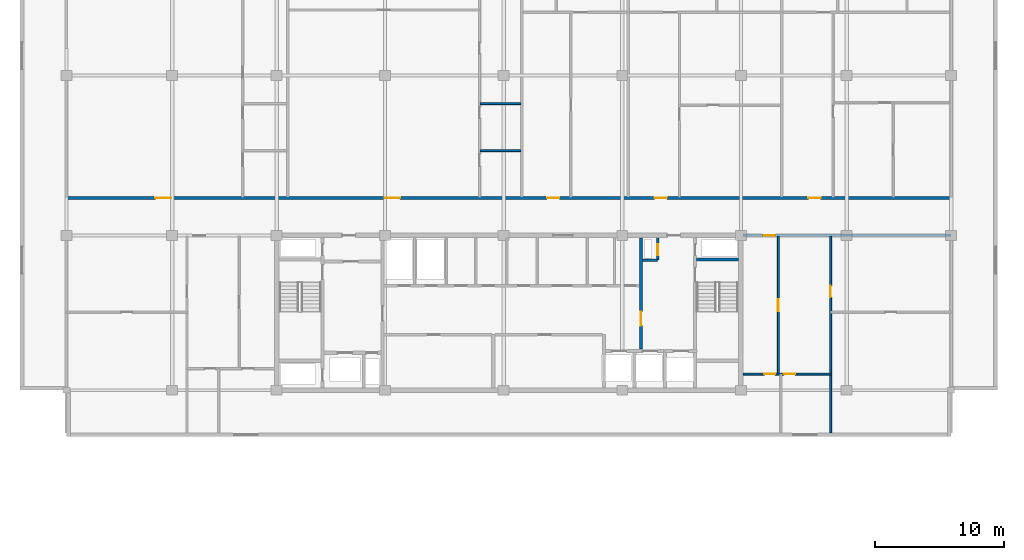
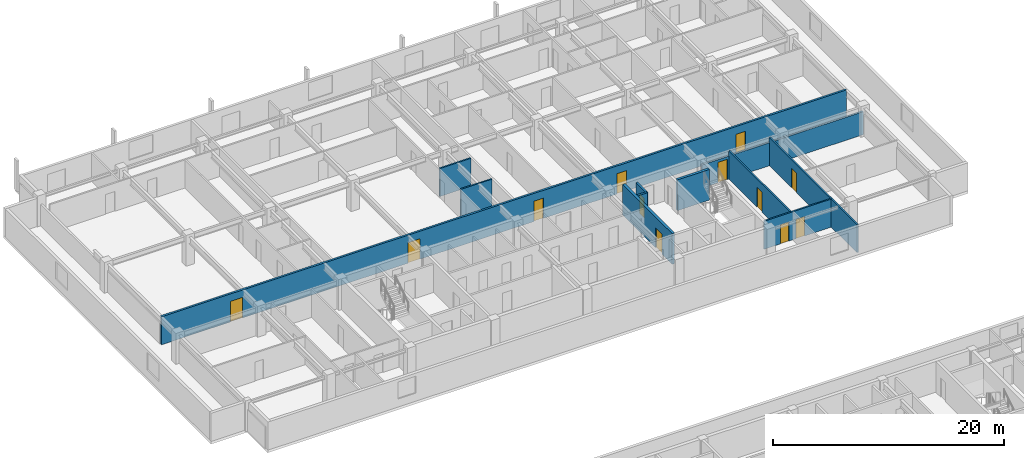
# One storey, part 13 of 22: 12 doors, 11 walls, 12 openings.
"""IFC4 building model written with IfcOpenShell, lengths in metres."""

import ifcopenshell
import ifcopenshell.guid

model = None  # the IFC model being written
_history = None  # IfcOwnerHistory: only IFC2X3 demands one
_inside = {}  # id of a spatial element -> (the spatial element, [elements in it])
_under = {}  # id of a project, library or spatial element -> (it, [spatial elements below it])
_declared = {}  # id of a project -> (the project, [libraries it declares])
_typed = {}  # id of a type object -> (the type object, [elements of that type])
_made_of = {}  # id of a material, layer set ... -> (it, [elements and type objects made of it])


def new_model(schema):
    """Start an empty IFC model of exactly this schema.

    Asked for "IFC4X3", IfcOpenShell would pick the latest addendum, in which some entities
    have other attributes; the version numbers below select the first issue.
    IFC2X3 requires an IfcOwnerHistory on every rooted entity: one is made here for all.
    """
    global model, _history
    if schema == "IFC4X3":
        model = ifcopenshell.file(schema_version=(4, 3, 0, 0))
    else:
        model = ifcopenshell.file(schema=schema)
    _inside.clear()
    _under.clear()
    _declared.clear()
    _typed.clear()
    _made_of.clear()
    _history = None
    if model.schema == "IFC2X3":
        org = make("IfcOrganization", Name="unknown")
        user = make(
            "IfcPersonAndOrganization",
            ThePerson=make("IfcPerson", FamilyName="unknown"),
            TheOrganization=org,
        )
        app = make(
            "IfcApplication",
            ApplicationDeveloper=org,
            Version="unknown",
            ApplicationFullName="unknown",
            ApplicationIdentifier="unknown",
        )
        _history = make(
            "IfcOwnerHistory",
            OwningUser=user,
            OwningApplication=app,
            ChangeAction="ADDED",
            CreationDate=0,
        )
    return model


def make(cls, **values):
    """One entity of the class cls with the attributes given. An attribute that is None is left unset."""
    return model.create_entity(
        cls, **{name: value for name, value in values.items() if value is not None}
    )


def rooted(cls, **values):
    """An entity with a GlobalId (a new one), such as an element, a storey or a relation."""
    return make(cls, GlobalId=ifcopenshell.guid.new(), OwnerHistory=_history, **values)


def si_unit(unit_type, name, prefix=None):
    """IfcSIUnit, for example si_unit("LENGTHUNIT", "METRE", prefix="MILLI")."""
    return make("IfcSIUnit", UnitType=unit_type, Prefix=prefix, Name=name)


def assignment(units):
    """IfcUnitAssignment: the units of a project."""
    return None if units is None else make("IfcUnitAssignment", Units=units)


def point(xyz):
    """IfcCartesianPoint."""
    return None if xyz is None else make("IfcCartesianPoint", Coordinates=xyz)


def direction(xyz):
    """IfcDirection."""
    return None if xyz is None else make("IfcDirection", DirectionRatios=xyz)


def frame(location, z_axis=None, x_axis=None):
    """IfcAxis2Placement3D, a coordinate frame: its origin and axes. An axis left out is left unset."""
    return make(
        "IfcAxis2Placement3D",
        Location=point(location),
        Axis=direction(z_axis),
        RefDirection=direction(x_axis),
    )


def frame_2d(location, x_axis=None):
    """IfcAxis2Placement2D, a coordinate frame in the plane: its origin and x axis."""
    return make(
        "IfcAxis2Placement2D", Location=point(location), RefDirection=direction(x_axis)
    )


def origin():
    """The frame at (0, 0, 0) with its axes left unset."""
    return frame((0.0, 0.0, 0.0))


def place(relative_to, where):
    """IfcLocalPlacement: puts the frame where relative to a parent placement (None: the world)."""
    return make(
        "IfcLocalPlacement", PlacementRelTo=relative_to, RelativePlacement=where
    )


def context(
    kind, dimensions, precision=None, world=None, true_north=None, identifier=None
):
    """IfcGeometricRepresentationContext, for example the 3D "Model" context."""
    return make(
        "IfcGeometricRepresentationContext",
        ContextIdentifier=identifier,
        ContextType=kind,
        CoordinateSpaceDimension=dimensions,
        Precision=precision,
        WorldCoordinateSystem=world,
        TrueNorth=true_north,
    )


def subcontext(parent, identifier, kind, view, scale=None):
    """IfcGeometricRepresentationSubContext, for example "Body" below "Model"."""
    return make(
        "IfcGeometricRepresentationSubContext",
        ContextIdentifier=identifier,
        ContextType=kind,
        ParentContext=parent,
        TargetScale=scale,
        TargetView=view,
    )


def project(units=None, contexts=None):
    """IfcProject with its units and contexts."""
    return rooted(
        "IfcProject",
        Name="project",
        RepresentationContexts=contexts,
        UnitsInContext=assignment(units),
    )


def spatial(cls, under=None, at=None, **own):
    """A site, building, storey or space (cls), placed at a placement, below another one or the project."""
    s = rooted(cls, ObjectPlacement=at, **own)
    if under is not None:
        _under.setdefault(under.id(), (under, []))[1].append(s)
    return s


def profile(cls, at=None, kind="AREA", **sizes):
    """A parametric profile (cls). Its sizes go by their IFC names, for example OverallWidth=200.0."""
    return make(cls, ProfileType=kind, Position=at, **sizes)


def rectangle(**sizes):
    """IfcRectangleProfileDef."""
    return profile("IfcRectangleProfileDef", **sizes)


def extrude(swept, where, along, depth):
    """IfcExtrudedAreaSolid: the profile swept, set in the frame where, extruded along a direction by depth."""
    return make(
        "IfcExtrudedAreaSolid",
        SweptArea=swept,
        Position=where,
        ExtrudedDirection=direction(along),
        Depth=depth,
    )


def shape(context_of_items, identifier, shape_type, items):
    """IfcShapeRepresentation: the items that make up one representation, for example the "Body"."""
    return make(
        "IfcShapeRepresentation",
        ContextOfItems=context_of_items,
        RepresentationIdentifier=identifier,
        RepresentationType=shape_type,
        Items=items,
    )


def material(Name=None, Category=None):
    """IfcMaterial."""
    return make("IfcMaterial", Name=Name, Category=Category)


def layer(
    of_material, thickness, ventilated=None, Name=None, Category=None, Priority=None
):
    """IfcMaterialLayer: one layer of a wall or slab, of a material (None: an air gap)."""
    return make(
        "IfcMaterialLayer",
        Material=of_material,
        LayerThickness=thickness,
        IsVentilated=ventilated,
        Name=Name,
        Category=Category,
        Priority=Priority,
    )


def layer_set(layers, Name=None):
    """IfcMaterialLayerSet."""
    return make("IfcMaterialLayerSet", MaterialLayers=layers, LayerSetName=Name)


def made_of(thing, what):
    """Note that an element or type object is made of a material, layer set ...; save() writes the relation."""
    if what is not None:
        _made_of.setdefault(what.id(), (what, []))[1].append(thing)
    return thing


def type_object(cls, material=None, **own):
    """A type object (cls), such as IfcWallType, which elements share."""
    return made_of(rooted(cls, **own), material)


def element(
    cls,
    number,
    at=None,
    inside=None,
    cuts=None,
    type_object=None,
    material=None,
    context=None,
    identifier="Body",
    shape_type=None,
    held_by="IfcProductDefinitionShape",
    body=None,
    shapes=None,
    **own,
):
    """One element of the class cls, such as IfcWall. Its Tag is "e" and its number.

    at: its placement. inside: the storey or other place that contains it. cuts: it is an
    opening in that element (IfcRelVoidsElement). A single representation is given by context,
    identifier, shape_type and body (its items); several are given by shapes. held_by: the class
    of the entity that holds the representations. save() writes the other relations.
    """
    e = rooted(cls, Tag="e%d" % number, ObjectPlacement=at, **own)
    if body is not None:
        shapes = [shape(context, identifier, shape_type, body)]
    if shapes is not None:
        e.Representation = make(held_by, Representations=shapes)
    if inside is not None:
        _inside.setdefault(inside.id(), (inside, []))[1].append(e)
    if cuts is not None:
        rooted(
            "IfcRelVoidsElement", RelatingBuildingElement=cuts, RelatedOpeningElement=e
        )
    if type_object is not None:
        _typed.setdefault(type_object.id(), (type_object, []))[1].append(e)
    return made_of(e, material)


def fill(opening, filler):
    """IfcRelFillsElement: the door or window that sits in an opening."""
    return rooted(
        "IfcRelFillsElement",
        RelatingOpeningElement=opening,
        RelatedBuildingElement=filler,
    )


def aggregate(whole, parts):
    """IfcRelAggregates: a whole, such as a stair, and the parts it consists of."""
    return rooted("IfcRelAggregates", RelatingObject=whole, RelatedObjects=parts)


def save(model, path):
    """Write the relations noted so far, then the file.

    IfcRelAggregates (storeys below a building ...), IfcRelContainedInSpatialStructure (elements
    in a storey), IfcRelDefinesByType, IfcRelAssociatesMaterial and IfcRelDeclares: one each for
    every whole, place, type object, material and project.
    """
    for whole, parts in _under.values():
        aggregate(whole, parts)
    for where, things in _inside.values():
        rooted(
            "IfcRelContainedInSpatialStructure",
            RelatedElements=things,
            RelatingStructure=where,
        )
    for kind, things in _typed.values():
        rooted("IfcRelDefinesByType", RelatedObjects=things, RelatingType=kind)
    for what, things in _made_of.values():
        rooted("IfcRelAssociatesMaterial", RelatedObjects=things, RelatingMaterial=what)
    for by, libraries in _declared.values():
        rooted("IfcRelDeclares", RelatingContext=by, RelatedDefinitions=libraries)
    model.write(path)


model = new_model("IFC4")

# Units and contexts
model_context = context("Model", 3, precision=1e-05, world=origin(), true_north=direction((0.0, 1.0)))
body_context = subcontext(model_context, "Body", "Model", "MODEL_VIEW")
ifc_project = project(units=[si_unit("LENGTHUNIT", "METRE"), si_unit("AREAUNIT", "SQUARE_METRE"), si_unit("VOLUMEUNIT", "CUBIC_METRE"), si_unit("PLANEANGLEUNIT", "RADIAN"), si_unit("MASSUNIT", "GRAM", prefix="KILO")], contexts=[model_context])

# Site, building, storey
site_placement = place(None, origin())
site = spatial("IfcSite", under=ifc_project, at=site_placement, CompositionType="ELEMENT")
building_placement = place(site_placement, origin())
building = spatial("IfcBuilding", under=site, at=building_placement, Name="Korimba Cascade Residences", CompositionType="ELEMENT")
storey_placement = place(building_placement, frame((0.0, 0.0, 181.60009765625)))
storey = spatial("IfcBuildingStorey", under=building, at=storey_placement, Name="L52", CompositionType="ELEMENT", Elevation=181.60009765625)

# Wall, opening, door
ifc_material_1 = material(Name="Precast concrete C40/50", Category="concrete")
ifc_layer_1 = layer(ifc_material_1, 0.199951171875)
ifc_layer_set_1 = layer_set([ifc_layer_1], Name="Precast concrete C40/50")
wall_type_1 = type_object("IfcWallType", Name="WAL-IT-200", PredefinedType="PARTITIONING", material=ifc_layer_set_1)
wall_1_placement = place(storey_placement, frame((112.25, 67.199951171875, 0.0), z_axis=(0.0, 0.0, 1.0), x_axis=(1.0, 0.0, 0.0)))
wall_1 = element("IfcWall", 1, at=wall_1_placement, inside=storey, type_object=wall_type_1, Name="L52 Partition Wall WAL-L52-T1-FE-N", PredefinedType="PARTITIONING", context=body_context, shape_type="SweptSolid", body=[
    extrude(rectangle(XDim=16.14990234375, YDim=0.199951171875, at=frame_2d((8.074951171875, 0.0))), origin(), (0.0, 0.0, 1.0), 2.43310546875),
])
opening_1_placement = place(wall_1_placement, frame((1.580078125, 0.0, 0.0)))
opening_1 = element("IfcOpeningElement", 2, at=opening_1_placement, cuts=wall_1, Name="Opening D-UN1", PredefinedType="OPENING", context=body_context, shape_type="SweptSolid", body=[
    extrude(rectangle(XDim=0.949951171875, YDim=2.14990234375, at=frame_2d((0.47509765625, 1.074951171875))), frame((0.0, 0.10986328125, 0.0), z_axis=(0.0, -1.0, 0.0), x_axis=(1.0, 0.0, 0.0)), (0.0, 0.0, 1.0), 0.219970703125),
])
ifc_material_2 = material(Name="Fire-Rated Hardwood Apartment Entrance Door", Category="wood")
door_type_1 = type_object("IfcDoorType", Name="DR-FD60-950", OperationType="NOTDEFINED", PredefinedType="DOOR", material=ifc_material_2)
door_1_placement = place(opening_1_placement, origin())
door_1 = element("IfcDoor", 3, at=door_1_placement, inside=storey, type_object=door_type_1, Name="L52-T1-FE Entrance Door", OperationType="SINGLE_SWING_LEFT", OverallHeight=2.14990234375, OverallWidth=0.949951171875, PredefinedType="DOOR", context=body_context, shape_type="SweptSolid", body=[
    extrude(rectangle(XDim=0.949951171875, YDim=2.14990234375, at=frame_2d((0.47509765625, 1.074951171875))), frame((0.0, 0.02490234375, 0.0), z_axis=(0.0, -1.0, 0.0), x_axis=(1.0, 0.0, 0.0)), (0.0, 0.0, 1.0), 0.050048828125),
])
fill(opening_1, door_1)

# Wall, openings, doors
wall_2_placement = place(storey_placement, frame((59.800048828125, 70.10009765625, 0.0), z_axis=(0.0, 0.0, 1.0), x_axis=(1.0, 0.0, 0.0)))
wall_2 = element("IfcWall", 4, at=wall_2_placement, inside=storey, type_object=wall_type_1, Name="L52 Partition Wall WAL-L52-T1-CORN", PredefinedType="PARTITIONING", context=body_context, shape_type="SweptSolid", body=[
    extrude(rectangle(XDim=68.599853515625, YDim=0.199951171875, at=frame_2d((34.2998046875, 0.0))), origin(), (0.0, 0.0, 1.0), 2.969970703125),
])
opening_2_placement = place(wall_2_placement, frame((6.89404296875, 0.0, 0.0)))
opening_2 = element("IfcOpeningElement", 5, at=opening_2_placement, cuts=wall_2, Name="Opening D-AM1", PredefinedType="OPENING", context=body_context, shape_type="SweptSolid", body=[
    extrude(rectangle(XDim=1.219970703125, YDim=2.179931640625, at=frame_2d((0.60986328125, 1.08984375))), frame((0.0, 0.10986328125, 0.0), z_axis=(0.0, -1.0, 0.0), x_axis=(1.0, 0.0, 0.0)), (0.0, 0.0, 1.0), 0.219970703125),
])
opening_3_placement = place(wall_2_placement, frame((24.664794921875, 0.0, 0.0)))
opening_3 = element("IfcOpeningElement", 6, at=opening_3_placement, cuts=wall_2, Name="Opening D-AM1", PredefinedType="OPENING", context=body_context, shape_type="SweptSolid", body=[
    extrude(rectangle(XDim=1.219970703125, YDim=2.179931640625, at=frame_2d((0.60986328125, 1.08984375))), frame((0.0, 0.10986328125, 0.0), z_axis=(0.0, -1.0, 0.0), x_axis=(1.0, 0.0, 0.0)), (0.0, 0.0, 1.0), 0.219970703125),
])
opening_4_placement = place(wall_2_placement, frame((37.27587890625, 0.0, 0.0)))
opening_4 = element("IfcOpeningElement", 7, at=opening_4_placement, cuts=wall_2, Name="Opening D-UN1", PredefinedType="OPENING", context=body_context, shape_type="SweptSolid", body=[
    extrude(rectangle(XDim=0.949951171875, YDim=2.14990234375, at=frame_2d((0.47509765625, 1.074951171875))), frame((0.0, 0.10986328125, 0.0), z_axis=(0.0, -1.0, 0.0), x_axis=(1.0, 0.0, 0.0)), (0.0, 0.0, 1.0), 0.219970703125),
])
opening_5_placement = place(wall_2_placement, frame((45.615478515625, 0.0, 0.0)))
opening_5 = element("IfcOpeningElement", 8, at=opening_5_placement, cuts=wall_2, Name="Opening D-UN1", PredefinedType="OPENING", context=body_context, shape_type="SweptSolid", body=[
    extrude(rectangle(XDim=0.949951171875, YDim=2.14990234375, at=frame_2d((0.47509765625, 1.074951171875))), frame((0.0, 0.10986328125, 0.0), z_axis=(0.0, -1.0, 0.0), x_axis=(1.0, 0.0, 0.0)), (0.0, 0.0, 1.0), 0.219970703125),
])
opening_6_placement = place(wall_2_placement, frame((57.522216796875, 0.0, 0.0)))
opening_6 = element("IfcOpeningElement", 9, at=opening_6_placement, cuts=wall_2, Name="Opening D-UN1", PredefinedType="OPENING", context=body_context, shape_type="SweptSolid", body=[
    extrude(rectangle(XDim=0.949951171875, YDim=2.14990234375, at=frame_2d((0.47509765625, 1.074951171875))), frame((0.0, 0.10986328125, 0.0), z_axis=(0.0, -1.0, 0.0), x_axis=(1.0, 0.0, 0.0)), (0.0, 0.0, 1.0), 0.219970703125),
])
ifc_material_3 = material(Name="Fire-Rated Glazed Timber Suite Door", Category="wood")
door_type_2 = type_object("IfcDoorType", Name="DR-FD60-1200", OperationType="NOTDEFINED", PredefinedType="DOOR", material=ifc_material_3)
door_2_placement = place(opening_2_placement, origin())
door_2 = element("IfcDoor", 10, at=door_2_placement, inside=storey, type_object=door_type_2, Name="L52-T1-U01 Resident Conference Room Door", OperationType="SINGLE_SWING_LEFT", OverallHeight=2.179931640625, OverallWidth=1.219970703125, PredefinedType="DOOR", context=body_context, shape_type="SweptSolid", body=[
    extrude(rectangle(XDim=1.219970703125, YDim=2.179931640625, at=frame_2d((0.60986328125, 1.08984375))), frame((0.0, 0.02490234375, 0.0), z_axis=(0.0, -1.0, 0.0), x_axis=(1.0, 0.0, 0.0)), (0.0, 0.0, 1.0), 0.050048828125),
])
fill(opening_2, door_2)
door_3_placement = place(opening_3_placement, origin())
door_3 = element("IfcDoor", 11, at=door_3_placement, inside=storey, type_object=door_type_2, Name="L52-T1-U02 Health Consultation Clinic Door", OperationType="SINGLE_SWING_RIGHT", OverallHeight=2.179931640625, OverallWidth=1.219970703125, PredefinedType="DOOR", context=body_context, shape_type="SweptSolid", body=[
    extrude(rectangle(XDim=1.219970703125, YDim=2.179931640625, at=frame_2d((0.60986328125, 1.08984375))), frame((0.0, 0.02490234375, 0.0), z_axis=(0.0, -1.0, 0.0), x_axis=(1.0, 0.0, 0.0)), (0.0, 0.0, 1.0), 0.050048828125),
])
fill(opening_3, door_3)
door_4_placement = place(opening_4_placement, origin())
door_4 = element("IfcDoor", 12, at=door_4_placement, inside=storey, type_object=door_type_1, Name="Unit L52-T1-U03 Entrance Door", OperationType="SINGLE_SWING_LEFT", OverallHeight=2.14990234375, OverallWidth=0.949951171875, PredefinedType="DOOR", context=body_context, shape_type="SweptSolid", body=[
    extrude(rectangle(XDim=0.949951171875, YDim=2.14990234375, at=frame_2d((0.47509765625, 1.074951171875))), frame((0.0, 0.02490234375, 0.0), z_axis=(0.0, -1.0, 0.0), x_axis=(1.0, 0.0, 0.0)), (0.0, 0.0, 1.0), 0.050048828125),
])
fill(opening_4, door_4)
door_5_placement = place(opening_5_placement, origin())
door_5 = element("IfcDoor", 13, at=door_5_placement, inside=storey, type_object=door_type_1, Name="Unit L52-T1-U04 Entrance Door", OperationType="SINGLE_SWING_RIGHT", OverallHeight=2.14990234375, OverallWidth=0.949951171875, PredefinedType="DOOR", context=body_context, shape_type="SweptSolid", body=[
    extrude(rectangle(XDim=0.949951171875, YDim=2.14990234375, at=frame_2d((0.47509765625, 1.074951171875))), frame((0.0, 0.02490234375, 0.0), z_axis=(0.0, -1.0, 0.0), x_axis=(1.0, 0.0, 0.0)), (0.0, 0.0, 1.0), 0.050048828125),
])
fill(opening_5, door_5)
door_6_placement = place(opening_6_placement, origin())
door_6 = element("IfcDoor", 14, at=door_6_placement, inside=storey, type_object=door_type_1, Name="Unit L52-T1-U05 Entrance Door", OperationType="SINGLE_SWING_LEFT", OverallHeight=2.14990234375, OverallWidth=0.949951171875, PredefinedType="DOOR", context=body_context, shape_type="SweptSolid", body=[
    extrude(rectangle(XDim=0.949951171875, YDim=2.14990234375, at=frame_2d((0.47509765625, 1.074951171875))), frame((0.0, 0.02490234375, 0.0), z_axis=(0.0, -1.0, 0.0), x_axis=(1.0, 0.0, 0.0)), (0.0, 0.0, 1.0), 0.050048828125),
])
fill(opening_6, door_6)

# Wall, opening, door
ifc_material_4 = material(Name="Insulated Acoustic Stud Partition", Category="gypsum")
ifc_layer_2 = layer(ifc_material_4, 0.14990234375)
ifc_layer_set_2 = layer_set([ifc_layer_2], Name="Insulated Acoustic Stud Partition")
wall_type_2 = type_object("IfcWallType", Name="WAL-PART-150", PredefinedType="PARTITIONING", material=ifc_layer_set_2)
wall_3_placement = place(storey_placement, frame((119.050048828125, 51.89990234375, 0.0), z_axis=(0.0, 0.0, 1.0), x_axis=(0.0, 1.0, 0.0)))
wall_3 = element("IfcWall", 15, at=wall_3_placement, inside=storey, type_object=wall_type_2, Name="L52 Partition Wall WAL-L52-T1-FE-STV", PredefinedType="PARTITIONING", context=body_context, shape_type="SweptSolid", body=[
    extrude(rectangle(XDim=15.25, YDim=0.14990234375, at=frame_2d((7.625, 0.0))), origin(), (0.0, 0.0, 1.0), 2.969970703125),
])
opening_7_placement = place(wall_3_placement, frame((10.5, 0.0, 0.0)))
opening_7 = element("IfcOpeningElement", 16, at=opening_7_placement, cuts=wall_3, Name="Opening D-IN2", PredefinedType="OPENING", context=body_context, shape_type="SweptSolid", body=[
    extrude(rectangle(XDim=0.8798828125, YDim=2.06005859375, at=frame_2d((0.43994140625, 1.030029296875))), frame((0.0, 0.0849609375, 0.0), z_axis=(0.0, -1.0, 0.0), x_axis=(1.0, 0.0, 0.0)), (0.0, 0.0, 1.0), 0.169921875),
])
ifc_material_5 = material(Name="Acoustic Timber Bedroom Door", Category="wood")
door_type_3 = type_object("IfcDoorType", Name="DR-INT-880", OperationType="NOTDEFINED", PredefinedType="DOOR", material=ifc_material_5)
door_7_placement = place(opening_7_placement, origin())
door_7 = element("IfcDoor", 17, at=door_7_placement, inside=storey, type_object=door_type_3, Name="L52-T1-FE Study Door", OperationType="SINGLE_SWING_LEFT", OverallHeight=2.06005859375, OverallWidth=0.8798828125, PredefinedType="DOOR", context=body_context, shape_type="SweptSolid", body=[
    extrude(rectangle(XDim=0.8798828125, YDim=2.06005859375, at=frame_2d((0.43994140625, 1.030029296875))), frame((0.0, 0.02490234375, 0.0), z_axis=(0.0, -1.0, 0.0), x_axis=(1.0, 0.0, 0.0)), (0.0, 0.0, 1.0), 0.050048828125),
])
fill(opening_7, door_7)

wall_4_placement = place(storey_placement, frame((115.0, 56.449951171875, 0.0), z_axis=(0.0, 0.0, 1.0), x_axis=(0.0, 1.0, 0.0)))
wall_4 = element("IfcWall", 18, at=wall_4_placement, inside=storey, type_object=wall_type_2, Name="L52 Partition Wall WAL-L52-T1-FE-VN", PredefinedType="PARTITIONING", context=body_context, shape_type="SweptSolid", body=[
    extrude(rectangle(XDim=10.699951171875, YDim=0.14990234375, at=frame_2d((5.35009765625, 0.0))), origin(), (0.0, 0.0, 1.0), 2.969970703125),
])
opening_8_placement = place(wall_4_placement, frame((4.889892578125, 0.0, 0.0)))
opening_8 = element("IfcOpeningElement", 19, at=opening_8_placement, cuts=wall_4, Name="Opening D-IN1", PredefinedType="OPENING", context=body_context, shape_type="SweptSolid", body=[
    extrude(rectangle(XDim=0.919921875, YDim=2.080078125, at=frame_2d((0.4599609375, 1.0400390625))), frame((0.0, 0.0849609375, 0.0), z_axis=(0.0, -1.0, 0.0), x_axis=(1.0, 0.0, 0.0)), (0.0, 0.0, 1.0), 0.169921875),
])
ifc_material_6 = material(Name="Acoustic Timber Living Door", Category="wood")
door_type_4 = type_object("IfcDoorType", Name="DR-INT-920", OperationType="NOTDEFINED", PredefinedType="DOOR", material=ifc_material_6)
door_8_placement = place(opening_8_placement, origin())
door_8 = element("IfcDoor", 20, at=door_8_placement, inside=storey, type_object=door_type_4, Name="L52-T1-FE Living Door", OperationType="SINGLE_SWING_RIGHT", OverallHeight=2.080078125, OverallWidth=0.919921875, PredefinedType="DOOR", context=body_context, shape_type="SweptSolid", body=[
    extrude(rectangle(XDim=0.919921875, YDim=2.080078125, at=frame_2d((0.4599609375, 1.0400390625))), frame((0.0, 0.02490234375, 0.0), z_axis=(0.0, -1.0, 0.0), x_axis=(1.0, 0.0, 0.0)), (0.0, 0.0, 1.0), 0.050048828125),
])
fill(opening_8, door_8)

# Wall, openings, doors
wall_5_placement = place(storey_placement, frame((112.27001953125, 56.449951171875, 0.0), z_axis=(0.0, 0.0, 1.0), x_axis=(1.0, 0.0, 0.0)))
wall_5 = element("IfcWall", 21, at=wall_5_placement, inside=storey, type_object=wall_type_2, Name="L52 Partition Wall WAL-L52-T1-FE-H", PredefinedType="PARTITIONING", context=body_context, shape_type="SweptSolid", body=[
    extrude(rectangle(XDim=6.760009765625, YDim=0.14990234375, at=frame_2d((3.3798828125, 0.0))), origin(), (0.0, 0.0, 1.0), 2.969970703125),
])
opening_9_placement = place(wall_5_placement, frame((1.6396484375, 0.0, 0.0)))
opening_9 = element("IfcOpeningElement", 22, at=opening_9_placement, cuts=wall_5, Name="Opening D-BT1", PredefinedType="OPENING", context=body_context, shape_type="SweptSolid", body=[
    extrude(rectangle(XDim=0.840087890625, YDim=2.0400390625, at=frame_2d((0.419921875, 1.02001953125))), frame((0.0, 0.0849609375, 0.0), z_axis=(0.0, -1.0, 0.0), x_axis=(1.0, 0.0, 0.0)), (0.0, 0.0, 1.0), 0.169921875),
])
opening_10_placement = place(wall_5_placement, frame((3.160400390625, 0.0, 0.0)))
opening_10 = element("IfcOpeningElement", 23, at=opening_10_placement, cuts=wall_5, Name="Opening D-IN2", PredefinedType="OPENING", context=body_context, shape_type="SweptSolid", body=[
    extrude(rectangle(XDim=0.8798828125, YDim=2.06005859375, at=frame_2d((0.43994140625, 1.030029296875))), frame((0.0, 0.0849609375, 0.0), z_axis=(0.0, -1.0, 0.0), x_axis=(1.0, 0.0, 0.0)), (0.0, 0.0, 1.0), 0.169921875),
])
ifc_material_7 = material(Name="Moisture-Resistant Bathroom Timber Door", Category="wood")
door_type_5 = type_object("IfcDoorType", Name="DR-INT-850", OperationType="NOTDEFINED", PredefinedType="DOOR", material=ifc_material_7)
door_9_placement = place(opening_9_placement, origin())
door_9 = element("IfcDoor", 24, at=door_9_placement, inside=storey, type_object=door_type_5, Name="L52-T1-FE Bathroom Door", OperationType="SINGLE_SWING_LEFT", OverallHeight=2.0400390625, OverallWidth=0.840087890625, PredefinedType="DOOR", context=body_context, shape_type="SweptSolid", body=[
    extrude(rectangle(XDim=0.840087890625, YDim=2.0400390625, at=frame_2d((0.419921875, 1.02001953125))), frame((0.0, 0.02490234375, 0.0), z_axis=(0.0, -1.0, 0.0), x_axis=(1.0, 0.0, 0.0)), (0.0, 0.0, 1.0), 0.050048828125),
])
fill(opening_9, door_9)
door_10_placement = place(opening_10_placement, origin())
door_10 = element("IfcDoor", 25, at=door_10_placement, inside=storey, type_object=door_type_3, Name="L52-T1-FE Bedroom Door", OperationType="SINGLE_SWING_RIGHT", OverallHeight=2.06005859375, OverallWidth=0.8798828125, PredefinedType="DOOR", context=body_context, shape_type="SweptSolid", body=[
    extrude(rectangle(XDim=0.8798828125, YDim=2.06005859375, at=frame_2d((0.43994140625, 1.030029296875))), frame((0.0, 0.02490234375, 0.0), z_axis=(0.0, -1.0, 0.0), x_axis=(1.0, 0.0, 0.0)), (0.0, 0.0, 1.0), 0.050048828125),
])
fill(opening_10, door_10)

# Walls
for number, where, z_axis, x_axis, name in (
    (26, (91.9013671875, 73.77001953125, 0.0), (0.0, 0.0, 1.0), (1.0, 0.0, 0.0), "L52 Partition Wall WAL-L52-T1-U02-WCH"),
    (27, (91.9013671875, 77.419921875, 0.0), (0.0, 0.0, 1.0), (1.0, 0.0, 0.0), "L52 Partition Wall WAL-L52-T1-U02-WCH2"),
):
    element("IfcWall", number, at=place(storey_placement, frame(where, z_axis=z_axis, x_axis=x_axis)), inside=storey, type_object=wall_type_2, Name=name, PredefinedType="PARTITIONING", context=body_context, shape_type="SweptSolid", body=[
        extrude(rectangle(XDim=3.130126953125, YDim=0.14990234375, at=frame_2d((1.56494140625, 0.0))), origin(), (0.0, 0.0, 1.0), 2.969970703125),
    ])
ifc_material_8 = material(Name="Concrete C40/50", Category="concrete")
ifc_layer_3 = layer(ifc_material_8, 0.199951171875)
ifc_layer_set_3 = layer_set([ifc_layer_3], Name="Concrete C40/50")
wall_type_3 = type_object("IfcWallType", Name="WAL-PART-200", PredefinedType="PARTITIONING", material=ifc_layer_set_3)
wall_6_placement = place(storey_placement, frame((104.449951171875, 65.280029296875, 0.0), z_axis=(0.0, 0.0, 1.0), x_axis=(1.0, 0.0, 0.0)))
element("IfcWall", 28, at=wall_6_placement, inside=storey, type_object=wall_type_3, Name="L52 Partition Wall CW-L52-T1-HYDW2S", PredefinedType="PARTITIONING", context=body_context, shape_type="SweptSolid", body=[
    extrude(rectangle(XDim=1.199951171875, YDim=0.199951171875, at=frame_2d((0.60009765625, 0.0))), origin(), (0.0, 0.0, 1.0), 2.969970703125),
])

# Wall, opening, door
wall_7_placement = place(storey_placement, frame((105.64990234375, 65.280029296875, 0.0), z_axis=(0.0, 0.0, 1.0), x_axis=(0.0, 1.0, 0.0)))
wall_7 = element("IfcWall", 29, at=wall_7_placement, inside=storey, type_object=wall_type_3, Name="L52 Partition Wall CW-L52-T1-HYDW2E", PredefinedType="PARTITIONING", context=body_context, shape_type="SweptSolid", body=[
    extrude(rectangle(XDim=1.719970703125, YDim=0.199951171875, at=frame_2d((0.85986328125, 0.0))), origin(), (0.0, 0.0, 1.0), 2.969970703125),
])
opening_11_placement = place(wall_7_placement, frame((0.39990234375, 0.0, 0.0)))
opening_11 = element("IfcOpeningElement", 30, at=opening_11_placement, cuts=wall_7, Name="Opening D-RS1", PredefinedType="OPENING", context=body_context, shape_type="SweptSolid", body=[
    extrude(rectangle(XDim=0.85009765625, YDim=2.050048828125, at=frame_2d((0.425048828125, 1.02490234375))), frame((0.0, 0.10986328125, 0.0), z_axis=(0.0, -1.0, 0.0), x_axis=(1.0, 0.0, 0.0)), (0.0, 0.0, 1.0), 0.219970703125),
])
ifc_material_9 = material(Name="Fire-Rated Steel Riser Access Door", Category="steel")
door_type_6 = type_object("IfcDoorType", Name="DR-FD60-850", OperationType="NOTDEFINED", PredefinedType="DOOR", material=ifc_material_9)
door_11_placement = place(opening_11_placement, origin())
door_11 = element("IfcDoor", 31, at=door_11_placement, inside=storey, type_object=door_type_6, Name="L52 East Hydrant Door", OperationType="SINGLE_SWING_RIGHT", OverallHeight=2.050048828125, OverallWidth=0.85009765625, PredefinedType="DOOR", context=body_context, shape_type="SweptSolid", body=[
    extrude(rectangle(XDim=0.85009765625, YDim=2.050048828125, at=frame_2d((0.425048828125, 1.02490234375))), frame((0.0, 0.02490234375, 0.0), z_axis=(0.0, -1.0, 0.0), x_axis=(1.0, 0.0, 0.0)), (0.0, 0.0, 1.0), 0.050048828125),
])
fill(opening_11, door_11)

ifc_material_10 = material(Name="Concrete C50/60", Category="concrete")
ifc_layer_4 = layer(ifc_material_10, 0.25)
ifc_layer_set_4 = layer_set([ifc_layer_4], Name="Concrete C50/60")
wall_type_4 = type_object("IfcWallType", Name="WAL-SHAFT-250", PredefinedType="SHEAR", material=ifc_layer_set_4)
wall_8_placement = place(storey_placement, frame((104.35009765625, 58.39990234375, 0.0), z_axis=(0.0, 0.0, 1.0), x_axis=(0.0, 1.0, 0.0)))
wall_8 = element("IfcWall", 32, at=wall_8_placement, inside=storey, type_object=wall_type_4, Name="L52 Core Shear Wall CW-L52-T1-LLEV", PredefinedType="SHEAR", context=body_context, shape_type="SweptSolid", body=[
    extrude(rectangle(XDim=8.60009765625, YDim=0.25, at=frame_2d((4.300048828125, 0.0))), origin(), (0.0, 0.0, 1.0), 3.25),
])
opening_12_placement = place(wall_8_placement, frame((1.800048828125, 0.0, 0.0)))
opening_12 = element("IfcOpeningElement", 33, at=opening_12_placement, cuts=wall_8, Name="Opening D-FD1", PredefinedType="OPENING", context=body_context, shape_type="SweptSolid", body=[
    extrude(rectangle(XDim=1.10009765625, YDim=2.10009765625, at=frame_2d((0.550048828125, 1.050048828125))), frame((0.0, 0.135009765625, 0.0), z_axis=(0.0, -1.0, 0.0), x_axis=(1.0, 0.0, 0.0)), (0.0, 0.0, 1.0), 0.27001953125),
])
ifc_material_11 = material(Name="Fire-Rated Steel Core Door", Category="steel")
door_type_7 = type_object("IfcDoorType", Name="DR-FD120-1100", OperationType="NOTDEFINED", PredefinedType="DOOR", material=ifc_material_11)
door_12_placement = place(opening_12_placement, origin())
door_12 = element("IfcDoor", 34, at=door_12_placement, inside=storey, type_object=door_type_7, Name="L52 Lift Lobby to East Firefighting Lobby Door", OperationType="SINGLE_SWING_LEFT", OverallHeight=2.10009765625, OverallWidth=1.10009765625, PredefinedType="DOOR", context=body_context, shape_type="SweptSolid", body=[
    extrude(rectangle(XDim=1.10009765625, YDim=2.10009765625, at=frame_2d((0.550048828125, 1.050048828125))), frame((0.0, 0.02490234375, 0.0), z_axis=(0.0, -1.0, 0.0), x_axis=(1.0, 0.0, 0.0)), (0.0, 0.0, 1.0), 0.050048828125),
])
fill(opening_12, door_12)

# Wall
wall_9_placement = place(storey_placement, frame((108.659912109375, 65.324951171875, 0.0), z_axis=(0.0, 0.0, 1.0), x_axis=(1.0, 0.0, 0.0)))
element("IfcWall", 35, at=wall_9_placement, inside=storey, type_object=wall_type_4, Name="L52 Core Shear Wall CW-L52-T1-STW2N", PredefinedType="SHEAR", context=body_context, shape_type="SweptSolid", body=[
    extrude(rectangle(XDim=3.239990234375, YDim=0.25, at=frame_2d((1.6201171875, 0.0))), origin(), (0.0, 0.0, 1.0), 3.25),
])

save(model, "model.ifc")
